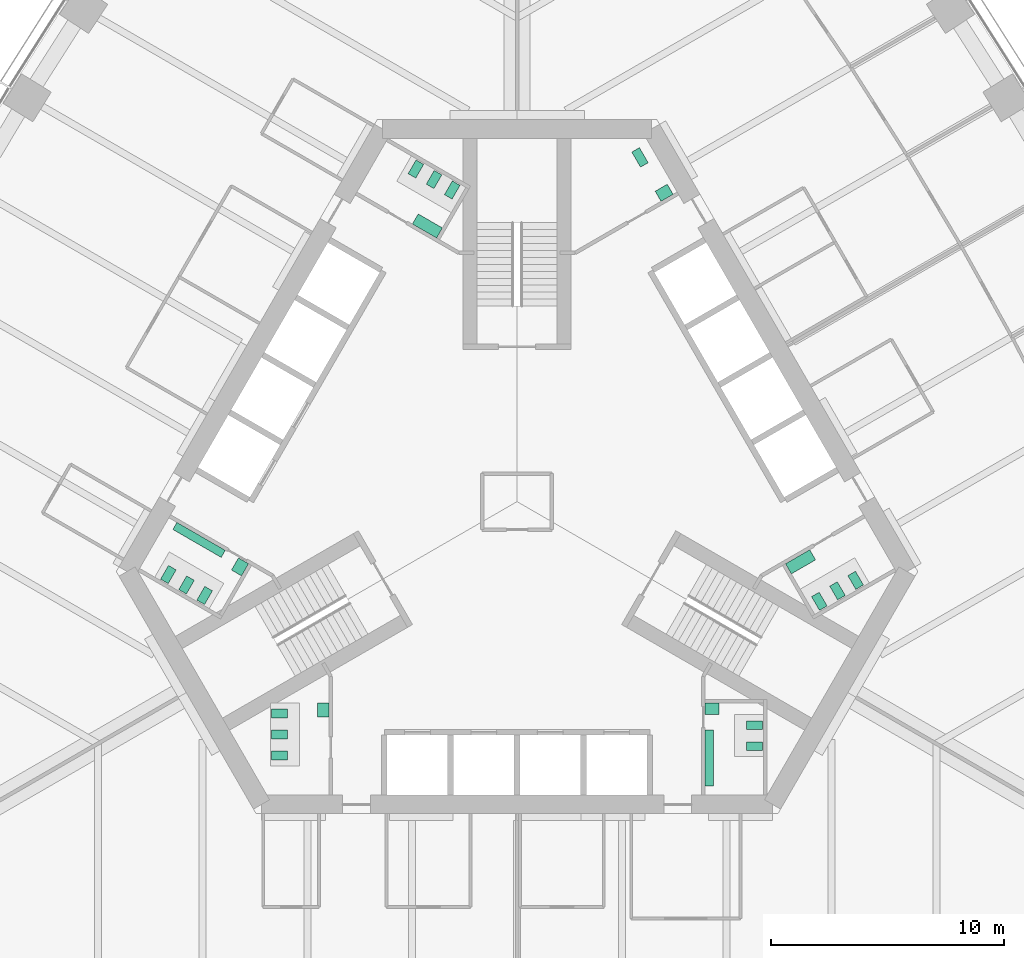
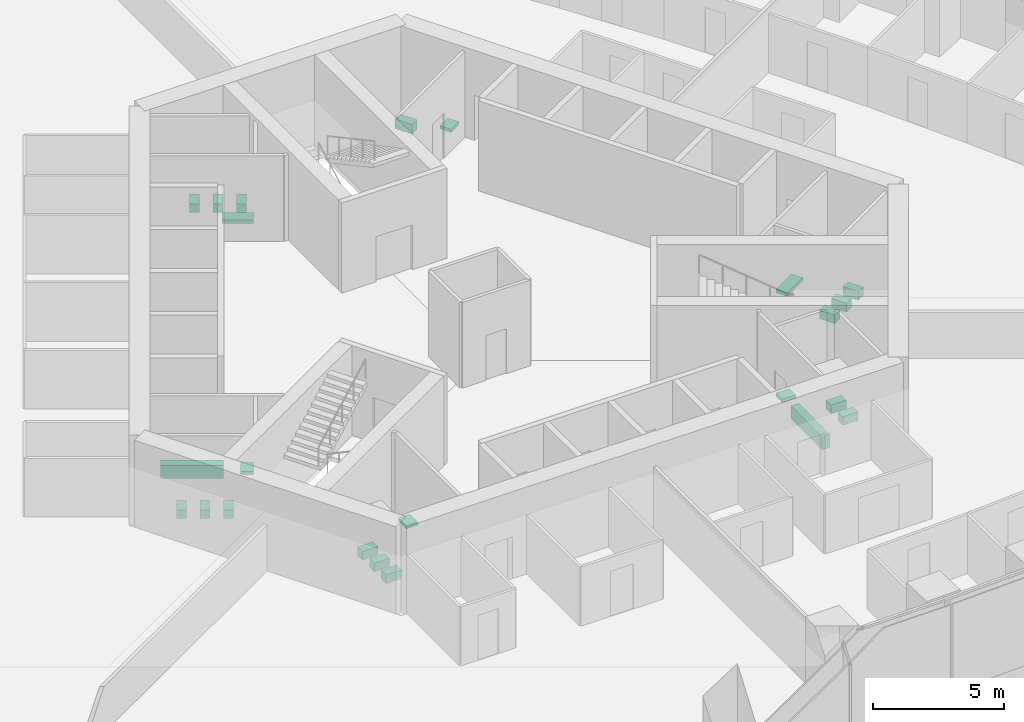
# One storey, part 18 of 19: 23 sanitary terminals.
"""IFC4 building model written with IfcOpenShell, lengths in metres."""

from ifc_helpers import new_model, si_unit, direction, frame, origin, place, context, subcontext, project, spatial, polyline, outline, extrude, material, type_object, element, save


model = new_model("IFC4")

# Units and contexts
model_context = context("Model", 3, precision=1e-05, world=origin(), true_north=direction((0.0, 1.0)))
body_context = subcontext(model_context, "Body", "Model", "MODEL_VIEW")
ifc_project = project(units=[si_unit("LENGTHUNIT", "METRE"), si_unit("AREAUNIT", "SQUARE_METRE"), si_unit("VOLUMEUNIT", "CUBIC_METRE"), si_unit("PLANEANGLEUNIT", "RADIAN"), si_unit("MASSUNIT", "GRAM", prefix="KILO")], contexts=[model_context])

# Site, building, storey
site_placement = place(None, origin())
site = spatial("IfcSite", under=ifc_project, at=site_placement, CompositionType="ELEMENT")
building_placement = place(site_placement, origin())
building = spatial("IfcBuilding", under=site, at=building_placement, Name="Trefoil Bronze Tower", CompositionType="ELEMENT")
storey_placement = place(building_placement, frame((0.0, 0.0, 45.89990234375)))
storey = spatial("IfcBuildingStorey", under=building, at=storey_placement, Name="L10", CompositionType="ELEMENT", Elevation=45.89990234375)

# Sanitary terminals
ifc_material_1 = material(Name="Vitreous china", Category="ceramic")
sanitary_terminal_type_1 = type_object("IfcSanitaryTerminalType", Name="Accessible WC pan", PredefinedType="TOILETPAN", material=ifc_material_1)
sanitary_terminal_1_placement = place(storey_placement, origin())
element("IfcSanitaryTerminal", 1, at=sanitary_terminal_1_placement, inside=storey, type_object=sanitary_terminal_type_1, Name="WC pan 1 Accessible WC L10", PredefinedType="TOILETPAN", context=body_context, shape_type="SweptSolid", body=[
    extrude(outline(polyline([(5.300537109375, 14.359130859375), (4.925537109375, 15.008544921875), (5.254638671875, 15.198486328125), (5.629638671875, 14.549072265625), (5.300537109375, 14.359130859375)])), origin(), (0.0, 0.0, 1.0), 0.4501953125),
])
ifc_material_2 = material(Name="Vitreous china", Category="ceramic")
sanitary_terminal_type_2 = type_object("IfcSanitaryTerminalType", Name="Accessible basin", PredefinedType="WASHHANDBASIN", material=ifc_material_2)
sanitary_terminal_2_placement = place(storey_placement, frame((0.0, 0.0, 0.650146484375)))
element("IfcSanitaryTerminal", 2, at=sanitary_terminal_2_placement, inside=storey, type_object=sanitary_terminal_type_2, Name="Wash basin Accessible WC L10", PredefinedType="WASHHANDBASIN", context=body_context, shape_type="SweptSolid", body=[
    extrude(outline(polyline([(6.181640625, 12.89306640625), (5.931640625, 13.326171875), (6.451171875, 13.626220703125), (6.701171875, 13.193115234375), (6.181640625, 12.89306640625)])), origin(), (0.0, 0.0, 1.0), 0.14990234375),
])
ifc_material_3 = material(Name="Vitreous china", Category="ceramic")
sanitary_terminal_type_3 = type_object("IfcSanitaryTerminalType", Name="Urinal range 4 urinals", PredefinedType="URINAL", material=ifc_material_3)
sanitary_terminal_3_placement = place(storey_placement, frame((0.0, 0.0, 0.400146484375)))
element("IfcSanitaryTerminal", 3, at=sanitary_terminal_3_placement, inside=storey, type_object=sanitary_terminal_type_3, Name="Urinal range WC (men) L10", PredefinedType="URINAL", context=body_context, shape_type="SweptSolid", body=[
    extrude(outline(polyline([(8.074951171875, -9.800048828125), (8.425048828125, -9.800048828125), (8.425048828125, -12.199951171875), (8.074951171875, -12.199951171875), (8.074951171875, -9.800048828125)])), origin(), (0.0, 0.0, 1.0), 0.599853515625),
])
sanitary_terminal_4_placement = place(storey_placement, frame((0.0, 0.0, 0.400146484375)))
element("IfcSanitaryTerminal", 4, at=sanitary_terminal_4_placement, inside=storey, type_object=sanitary_terminal_type_3, Name="Urinal range WC (men) L10", PredefinedType="URINAL", context=body_context, shape_type="SweptSolid", body=[
    extrude(outline(polyline([(-12.524658203125, -2.09326171875), (-12.699462890625, -2.396240234375), (-14.778076171875, -1.1962890625), (-14.60302734375, -0.89306640625), (-12.524658203125, -2.09326171875)])), origin(), (0.0, 0.0, 1.0), 0.599853515625),
])
ifc_material_4 = material(Name="Solid surface vanity", Category="plastic")
sanitary_terminal_type_4 = type_object("IfcSanitaryTerminalType", Name="Vanity unit 1 basins", PredefinedType="WASHHANDBASIN", material=ifc_material_4)
sanitary_terminal_5_placement = place(storey_placement, frame((0.0, 0.0, 0.75)))
element("IfcSanitaryTerminal", 5, at=sanitary_terminal_5_placement, inside=storey, type_object=sanitary_terminal_type_4, Name="Vanity unit WC (men) L10", PredefinedType="WASHHANDBASIN", context=body_context, shape_type="SweptSolid", body=[
    extrude(outline(polyline([(8.074951171875, -8.64990234375), (8.675048828125, -8.64990234375), (8.675048828125, -9.14990234375), (8.074951171875, -9.14990234375), (8.074951171875, -8.64990234375)])), origin(), (0.0, 0.0, 1.0), 0.150146484375),
])
sanitary_terminal_6_placement = place(storey_placement, frame((0.0, 0.0, 0.75)))
element("IfcSanitaryTerminal", 6, at=sanitary_terminal_6_placement, inside=storey, type_object=sanitary_terminal_type_4, Name="Vanity unit WC (men) L10", PredefinedType="WASHHANDBASIN", context=body_context, shape_type="SweptSolid", body=[
    extrude(outline(polyline([(-11.528564453125, -2.668212890625), (-11.82861328125, -3.187744140625), (-12.26171875, -2.937744140625), (-11.961669921875, -2.418212890625), (-11.528564453125, -2.668212890625)])), origin(), (0.0, 0.0, 1.0), 0.150146484375),
])
sanitary_terminal_7_placement = place(storey_placement, frame((0.0, 0.0, 0.75)))
element("IfcSanitaryTerminal", 7, at=sanitary_terminal_7_placement, inside=storey, type_object=sanitary_terminal_type_4, Name="Vanity unit WC (women) L10", PredefinedType="WASHHANDBASIN", context=body_context, shape_type="SweptSolid", body=[
    extrude(outline(polyline([(-8.074951171875, -8.64990234375), (-8.574951171875, -8.64990234375), (-8.574951171875, -9.25), (-8.074951171875, -9.25), (-8.074951171875, -8.64990234375)])), origin(), (0.0, 0.0, 1.0), 0.150146484375),
])
ifc_material_5 = material(Name="Solid surface vanity", Category="plastic")
sanitary_terminal_type_5 = type_object("IfcSanitaryTerminalType", Name="Vanity unit 2 basins", PredefinedType="WASHHANDBASIN", material=ifc_material_5)
sanitary_terminal_8_placement = place(storey_placement, frame((0.0, 0.0, 0.75)))
element("IfcSanitaryTerminal", 8, at=sanitary_terminal_8_placement, inside=storey, type_object=sanitary_terminal_type_5, Name="Vanity unit WC (women) L10", PredefinedType="WASHHANDBASIN", context=body_context, shape_type="SweptSolid", body=[
    extrude(outline(polyline([(11.528564453125, -2.668212890625), (11.778564453125, -3.10107421875), (12.81787109375, -2.501220703125), (12.56787109375, -2.068115234375), (11.528564453125, -2.668212890625)])), origin(), (0.0, 0.0, 1.0), 0.150146484375),
])
sanitary_terminal_9_placement = place(storey_placement, frame((0.0, 0.0, 0.75)))
element("IfcSanitaryTerminal", 9, at=sanitary_terminal_9_placement, inside=storey, type_object=sanitary_terminal_type_5, Name="Vanity unit WC (women) L10", PredefinedType="WASHHANDBASIN", context=body_context, shape_type="SweptSolid", body=[
    extrude(outline(polyline([(-3.45361328125, 11.318115234375), (-3.20361328125, 11.751220703125), (-4.242919921875, 12.35107421875), (-4.492919921875, 11.918212890625), (-3.45361328125, 11.318115234375)])), origin(), (0.0, 0.0, 1.0), 0.150146484375),
])
ifc_material_6 = material(Name="Vitreous china", Category="ceramic")
sanitary_terminal_type_6 = type_object("IfcSanitaryTerminalType", Name="WC pan", PredefinedType="TOILETPAN", material=ifc_material_6)
sanitary_terminal_10_placement = place(storey_placement, origin())
element("IfcSanitaryTerminal", 10, at=sanitary_terminal_10_placement, inside=storey, type_object=sanitary_terminal_type_6, Name="WC pan 1 WC (men) L10", PredefinedType="TOILETPAN", context=body_context, shape_type="SweptSolid", body=[
    extrude(outline(polyline([(9.85498046875, -9.409912109375), (10.534912109375, -9.409912109375), (10.534912109375, -9.7900390625), (9.85498046875, -9.7900390625), (9.85498046875, -9.409912109375)])), origin(), (0.0, 0.0, 1.0), 0.400146484375),
])
sanitary_terminal_11_placement = place(storey_placement, origin())
element("IfcSanitaryTerminal", 11, at=sanitary_terminal_11_placement, inside=storey, type_object=sanitary_terminal_type_6, Name="WC pan 2 WC (men) L10", PredefinedType="TOILETPAN", context=body_context, shape_type="SweptSolid", body=[
    extrude(outline(polyline([(9.85498046875, -10.31005859375), (10.534912109375, -10.31005859375), (10.534912109375, -10.68994140625), (9.85498046875, -10.68994140625), (9.85498046875, -10.31005859375)])), origin(), (0.0, 0.0, 1.0), 0.400146484375),
])
sanitary_terminal_12_placement = place(storey_placement, origin())
element("IfcSanitaryTerminal", 12, at=sanitary_terminal_12_placement, inside=storey, type_object=sanitary_terminal_type_6, Name="WC pan 1 WC (women) L10", PredefinedType="TOILETPAN", context=body_context, shape_type="SweptSolid", body=[
    extrude(outline(polyline([(12.643798828125, -4.07958984375), (12.98388671875, -4.66845703125), (13.31298828125, -4.478515625), (12.972900390625, -3.8896484375), (12.643798828125, -4.07958984375)])), origin(), (0.0, 0.0, 1.0), 0.400146484375),
])
sanitary_terminal_13_placement = place(storey_placement, origin())
element("IfcSanitaryTerminal", 13, at=sanitary_terminal_13_placement, inside=storey, type_object=sanitary_terminal_type_6, Name="WC pan 2 WC (women) L10", PredefinedType="TOILETPAN", context=body_context, shape_type="SweptSolid", body=[
    extrude(outline(polyline([(13.423095703125, -3.629638671875), (13.76318359375, -4.218505859375), (14.09228515625, -4.028564453125), (13.752197265625, -3.439697265625), (13.423095703125, -3.629638671875)])), origin(), (0.0, 0.0, 1.0), 0.400146484375),
])
sanitary_terminal_14_placement = place(storey_placement, origin())
element("IfcSanitaryTerminal", 14, at=sanitary_terminal_14_placement, inside=storey, type_object=sanitary_terminal_type_6, Name="WC pan 3 WC (women) L10", PredefinedType="TOILETPAN", context=body_context, shape_type="SweptSolid", body=[
    extrude(outline(polyline([(14.20263671875, -3.1796875), (14.542724609375, -3.7685546875), (14.871826171875, -3.57861328125), (14.53173828125, -2.98974609375), (14.20263671875, -3.1796875)])), origin(), (0.0, 0.0, 1.0), 0.400146484375),
])
sanitary_terminal_15_placement = place(storey_placement, origin())
element("IfcSanitaryTerminal", 15, at=sanitary_terminal_15_placement, inside=storey, type_object=sanitary_terminal_type_6, Name="WC pan 1 WC (women) L10", PredefinedType="TOILETPAN", context=body_context, shape_type="SweptSolid", body=[
    extrude(outline(polyline([(-2.788818359375, 12.98974609375), (-2.44873046875, 13.57861328125), (-2.77783203125, 13.7685546875), (-3.117919921875, 13.1796875), (-2.788818359375, 12.98974609375)])), origin(), (0.0, 0.0, 1.0), 0.400146484375),
])
sanitary_terminal_16_placement = place(storey_placement, origin())
element("IfcSanitaryTerminal", 16, at=sanitary_terminal_16_placement, inside=storey, type_object=sanitary_terminal_type_6, Name="WC pan 2 WC (women) L10", PredefinedType="TOILETPAN", context=body_context, shape_type="SweptSolid", body=[
    extrude(outline(polyline([(-3.568115234375, 13.439697265625), (-3.228271484375, 14.028564453125), (-3.557373046875, 14.218505859375), (-3.897216796875, 13.629638671875), (-3.568115234375, 13.439697265625)])), origin(), (0.0, 0.0, 1.0), 0.400146484375),
])
sanitary_terminal_17_placement = place(storey_placement, origin())
element("IfcSanitaryTerminal", 17, at=sanitary_terminal_17_placement, inside=storey, type_object=sanitary_terminal_type_6, Name="WC pan 3 WC (women) L10", PredefinedType="TOILETPAN", context=body_context, shape_type="SweptSolid", body=[
    extrude(outline(polyline([(-4.34765625, 13.8896484375), (-4.007568359375, 14.478515625), (-4.336669921875, 14.66845703125), (-4.6767578125, 14.07958984375), (-4.34765625, 13.8896484375)])), origin(), (0.0, 0.0, 1.0), 0.400146484375),
])
sanitary_terminal_18_placement = place(storey_placement, origin())
element("IfcSanitaryTerminal", 18, at=sanitary_terminal_18_placement, inside=storey, type_object=sanitary_terminal_type_6, Name="WC pan 1 WC (men) L10", PredefinedType="TOILETPAN", context=body_context, shape_type="SweptSolid", body=[
    extrude(outline(polyline([(-13.076904296875, -3.82958984375), (-13.416748046875, -4.41845703125), (-13.745849609375, -4.228515625), (-13.406005859375, -3.6396484375), (-13.076904296875, -3.82958984375)])), origin(), (0.0, 0.0, 1.0), 0.400146484375),
])
sanitary_terminal_19_placement = place(storey_placement, origin())
element("IfcSanitaryTerminal", 19, at=sanitary_terminal_19_placement, inside=storey, type_object=sanitary_terminal_type_6, Name="WC pan 2 WC (men) L10", PredefinedType="TOILETPAN", context=body_context, shape_type="SweptSolid", body=[
    extrude(outline(polyline([(-13.856201171875, -3.379638671875), (-14.1962890625, -3.968505859375), (-14.525390625, -3.778564453125), (-14.185302734375, -3.189697265625), (-13.856201171875, -3.379638671875)])), origin(), (0.0, 0.0, 1.0), 0.400146484375),
])
sanitary_terminal_20_placement = place(storey_placement, origin())
element("IfcSanitaryTerminal", 20, at=sanitary_terminal_20_placement, inside=storey, type_object=sanitary_terminal_type_6, Name="WC pan 3 WC (men) L10", PredefinedType="TOILETPAN", context=body_context, shape_type="SweptSolid", body=[
    extrude(outline(polyline([(-14.6357421875, -2.9296875), (-14.9755859375, -3.5185546875), (-15.3046875, -3.32861328125), (-14.96484375, -2.73974609375), (-14.6357421875, -2.9296875)])), origin(), (0.0, 0.0, 1.0), 0.400146484375),
])
sanitary_terminal_21_placement = place(storey_placement, origin())
element("IfcSanitaryTerminal", 21, at=sanitary_terminal_21_placement, inside=storey, type_object=sanitary_terminal_type_6, Name="WC pan 1 WC (women) L10", PredefinedType="TOILETPAN", context=body_context, shape_type="SweptSolid", body=[
    extrude(outline(polyline([(-9.85498046875, -8.909912109375), (-10.534912109375, -8.909912109375), (-10.534912109375, -9.2900390625), (-9.85498046875, -9.2900390625), (-9.85498046875, -8.909912109375)])), origin(), (0.0, 0.0, 1.0), 0.400146484375),
])
sanitary_terminal_22_placement = place(storey_placement, origin())
element("IfcSanitaryTerminal", 22, at=sanitary_terminal_22_placement, inside=storey, type_object=sanitary_terminal_type_6, Name="WC pan 2 WC (women) L10", PredefinedType="TOILETPAN", context=body_context, shape_type="SweptSolid", body=[
    extrude(outline(polyline([(-9.85498046875, -9.81005859375), (-10.534912109375, -9.81005859375), (-10.534912109375, -10.18994140625), (-9.85498046875, -10.18994140625), (-9.85498046875, -9.81005859375)])), origin(), (0.0, 0.0, 1.0), 0.400146484375),
])
sanitary_terminal_23_placement = place(storey_placement, origin())
element("IfcSanitaryTerminal", 23, at=sanitary_terminal_23_placement, inside=storey, type_object=sanitary_terminal_type_6, Name="WC pan 3 WC (women) L10", PredefinedType="TOILETPAN", context=body_context, shape_type="SweptSolid", body=[
    extrude(outline(polyline([(-9.85498046875, -10.7099609375), (-10.534912109375, -10.7099609375), (-10.534912109375, -11.090087890625), (-9.85498046875, -11.090087890625), (-9.85498046875, -10.7099609375)])), origin(), (0.0, 0.0, 1.0), 0.400146484375),
])

save(model, "model.ifc")
